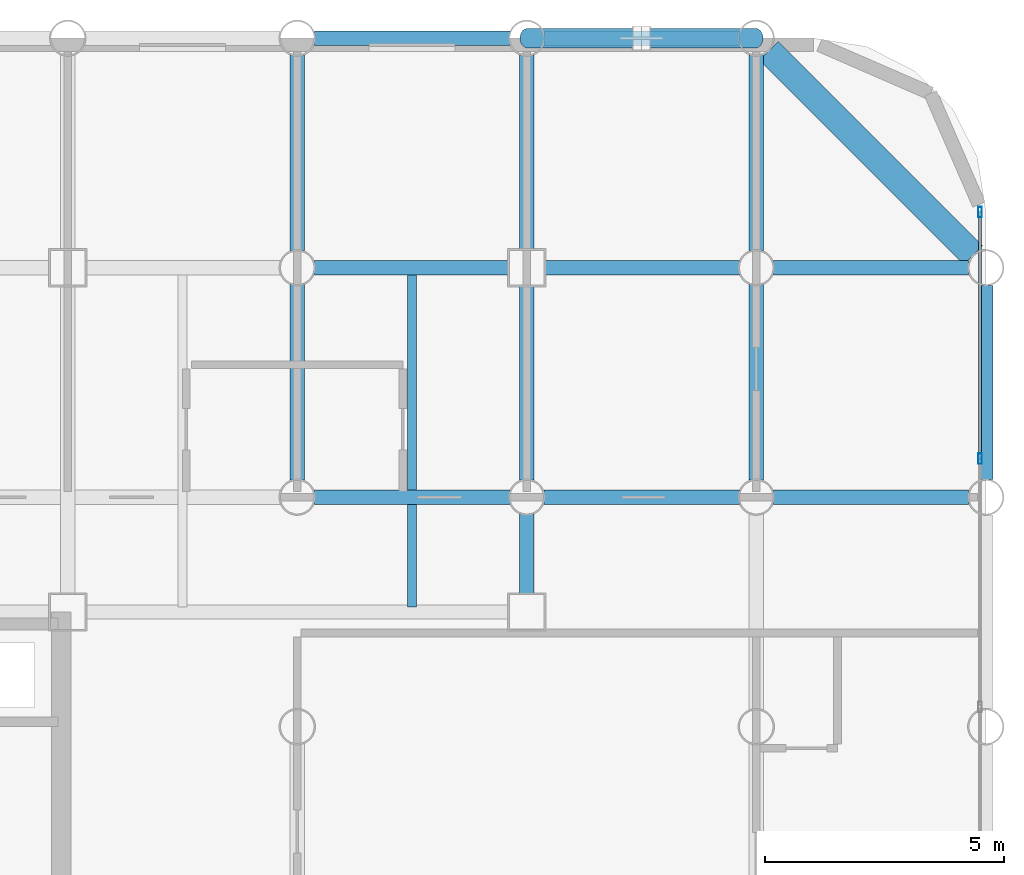
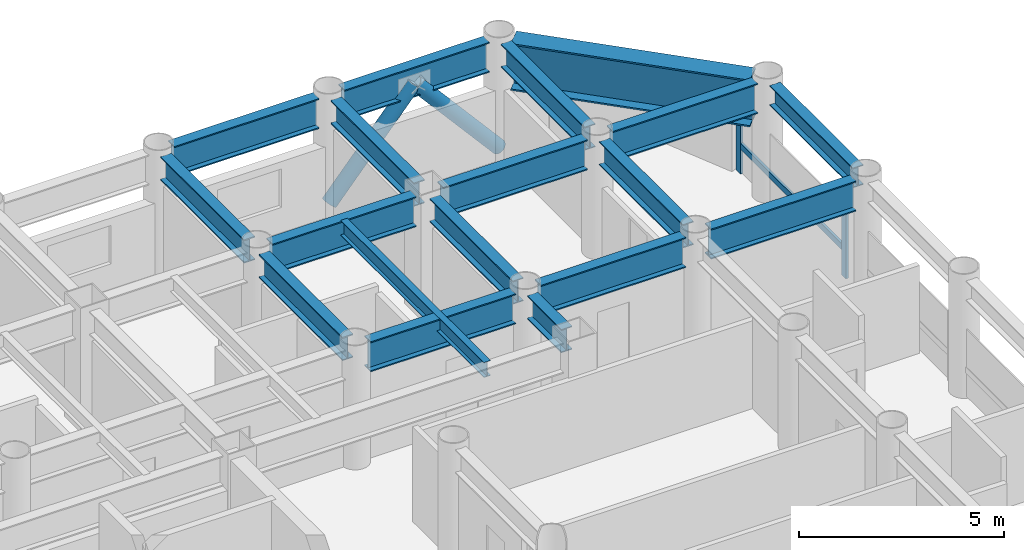
# One storey, part 13 of 20: 18 beams, 5 members, 1 element without a shape of its own.
"""IFC4 building model written with IfcOpenShell, lengths in metres."""

from ifc_helpers import new_model, si_unit, direction, frame, origin, origin_2d, place, context, subcontext, project, spatial, hollow_rectangle, hollow_circle, i_section, extrude, material, layer, layer_set, material_profile, profile_set, type_object, element, aggregate, save


model = new_model("IFC4")

# Units and contexts
model_context = context("Model", 3, precision=1e-05, world=origin(), true_north=direction((0.0, 1.0)))
body_context = subcontext(model_context, "Body", "Model", "MODEL_VIEW")
ifc_project = project(units=[si_unit("LENGTHUNIT", "METRE"), si_unit("AREAUNIT", "SQUARE_METRE"), si_unit("VOLUMEUNIT", "CUBIC_METRE"), si_unit("PLANEANGLEUNIT", "RADIAN"), si_unit("MASSUNIT", "GRAM", prefix="KILO")], contexts=[model_context])

# Site, building, storey
site_placement = place(None, origin())
site = spatial("IfcSite", under=ifc_project, at=site_placement, CompositionType="ELEMENT")
building_placement = place(site_placement, origin())
building = spatial("IfcBuilding", under=site, at=building_placement, Name="Kallvorn Hotel Tower", CompositionType="ELEMENT")
storey_placement = place(building_placement, frame((0.0, 0.0, 74.39990234375)))
storey = spatial("IfcBuildingStorey", under=building, at=storey_placement, Name="L17", CompositionType="ELEMENT", Elevation=74.39990234375)

# Beams
ifc_material_1 = material(Name="Structural steel S355JR", Category="steel")
ifc_material_profile_1 = material_profile(ifc_material_1, i_section(OverallWidth=0.300048828125, OverallDepth=0.60009765625, WebThickness=0.015380859375, FlangeThickness=0.030029296875, at=origin_2d()), Name="HE 600 B")
ifc_profile_set_1 = profile_set([ifc_material_profile_1], Name="Structural steel S355JR")
beam_type_1 = type_object("IfcBeamType", Name="BM_HE600B", PredefinedType="SPANDREL", material=ifc_profile_set_1)
beam_1_placement = place(storey_placement, frame((33.60009765625, 9.970947265625, 3.22021484375), z_axis=(0.0, 1.0, 0.0), x_axis=(-1.0, 0.0, 0.0)))
element("IfcBeam", 1, at=beam_1_placement, inside=storey, type_object=beam_type_1, Name="L18 Perimeter Spandrel 188", PredefinedType="SPANDREL", context=body_context, shape_type="SweptSolid", body=[
    extrude(i_section(OverallWidth=0.300048828125, OverallDepth=0.60009765625, WebThickness=0.015380859375, FlangeThickness=0.030029296875, at=origin_2d()), origin(), (0.0, 0.0, 1.0), 4.05810546875),
])
ifc_material_2 = material(Name="Structural steel S355JR", Category="steel")
ifc_material_profile_2 = material_profile(ifc_material_2, i_section(OverallWidth=0.300048828125, OverallDepth=0.699951171875, WebThickness=0.01708984375, FlangeThickness=0.031982421875, at=origin_2d()), Name="HE 700 B")
ifc_profile_set_2 = profile_set([ifc_material_profile_2], Name="Structural steel S355JR")
beam_type_2 = type_object("IfcBeamType", Name="BM_HE700B", PredefinedType="BEAM", material=ifc_profile_set_2)
for number, where, z_axis, x_axis, name in (
    (2, (19.199951171875, 9.9560546875, 3.170166015625), (0.0, 1.0, 0.0), (-1.0, 0.0, 0.0), "L18 Primary Y-Girder 133"),
    (3, (19.199951171875, 14.756103515625, 3.170166015625), (0.0, 1.0, 0.0), (-1.0, 0.0, 0.0), "L18 Primary Y-Girder 134"),
):
    element("IfcBeam", number, at=place(storey_placement, frame(where, z_axis=z_axis, x_axis=x_axis)), inside=storey, type_object=beam_type_2, Name=name, PredefinedType="BEAM", context=body_context, shape_type="SweptSolid", body=[
        extrude(i_section(OverallWidth=0.300048828125, OverallDepth=0.699951171875, WebThickness=0.01708984375, FlangeThickness=0.031982421875, at=origin_2d()), origin(), (0.0, 0.0, 1.0), 4.087890625),
    ])
beam_2_placement = place(storey_placement, frame((24.0, 7.574951171875, 3.170166015625), z_axis=(0.0, 1.0, 0.0), x_axis=(-1.0, 0.0, 0.0)))
element("IfcBeam", 4, at=beam_2_placement, inside=storey, type_object=beam_type_2, Name="L18 Primary Y-Girder 139", PredefinedType="BEAM", context=body_context, shape_type="SweptSolid", body=[
    extrude(i_section(OverallWidth=0.300048828125, OverallDepth=0.699951171875, WebThickness=0.01708984375, FlangeThickness=0.031982421875, at=origin_2d()), origin(), (0.0, 0.0, 1.0), 1.6689453125),
])
beam_3_placement = place(storey_placement, frame((24.0, 9.9560546875, 3.170166015625), z_axis=(0.0, 1.0, 0.0), x_axis=(-1.0, 0.0, 0.0)))
element("IfcBeam", 5, at=beam_3_placement, inside=storey, type_object=beam_type_2, Name="L18 Primary Y-Girder 140", PredefinedType="BEAM", context=body_context, shape_type="SweptSolid", body=[
    extrude(i_section(OverallWidth=0.300048828125, OverallDepth=0.699951171875, WebThickness=0.01708984375, FlangeThickness=0.031982421875, at=origin_2d()), origin(), (0.0, 0.0, 1.0), 4.06884765625),
])
beam_4_placement = place(storey_placement, frame((24.0, 14.77490234375, 3.170166015625), z_axis=(0.0, 1.0, 0.0), x_axis=(-1.0, 0.0, 0.0)))
element("IfcBeam", 6, at=beam_4_placement, inside=storey, type_object=beam_type_2, Name="L18 Primary Y-Girder 141", PredefinedType="BEAM", context=body_context, shape_type="SweptSolid", body=[
    extrude(i_section(OverallWidth=0.300048828125, OverallDepth=0.699951171875, WebThickness=0.01708984375, FlangeThickness=0.031982421875, at=origin_2d()), origin(), (0.0, 0.0, 1.0), 4.069091796875),
])
for number, where, z_axis, x_axis, name in (
    (7, (28.800048828125, 9.9560546875, 3.170166015625), (0.0, 1.0, 0.0), (-1.0, 0.0, 0.0), "L18 Primary Y-Girder 149"),
    (8, (28.800048828125, 14.756103515625, 3.170166015625), (0.0, 1.0, 0.0), (-1.0, 0.0, 0.0), "L18 Primary Y-Girder 150"),
):
    element("IfcBeam", number, at=place(storey_placement, frame(where, z_axis=z_axis, x_axis=x_axis)), inside=storey, type_object=beam_type_2, Name=name, PredefinedType="BEAM", context=body_context, shape_type="SweptSolid", body=[
        extrude(i_section(OverallWidth=0.300048828125, OverallDepth=0.699951171875, WebThickness=0.01708984375, FlangeThickness=0.031982421875, at=origin_2d()), origin(), (0.0, 0.0, 1.0), 4.087890625),
    ])
ifc_material_3 = material(Name="Structural steel S355JR", Category="steel")
ifc_material_profile_3 = material_profile(ifc_material_3, i_section(OverallWidth=0.300048828125, OverallDepth=0.89990234375, WebThickness=0.0185546875, FlangeThickness=0.034912109375, at=origin_2d()), Name="HE 900 B")
ifc_profile_set_3 = profile_set([ifc_material_profile_3], Name="Structural steel S355JR")
beam_type_3 = type_object("IfcBeamType", Name="BM_HE900B", PredefinedType="BEAM", material=ifc_profile_set_3)
for number, where, z_axis, x_axis, name in (
    (9, (19.555908203125, 9.60009765625, 3.070068359375), (1.0, 0.0, 0.0), (0.0, 1.0, 0.0), "L18 Primary X-Girder 48"),
    (10, (24.35595703125, 9.60009765625, 3.070068359375), (1.0, 0.0, 0.0), (0.0, 1.0, 0.0), "L18 Primary X-Girder 49"),
):
    element("IfcBeam", number, at=place(storey_placement, frame(where, z_axis=z_axis, x_axis=x_axis)), inside=storey, type_object=beam_type_3, Name=name, PredefinedType="BEAM", context=body_context, shape_type="SweptSolid", body=[
        extrude(i_section(OverallWidth=0.300048828125, OverallDepth=0.89990234375, WebThickness=0.0185546875, FlangeThickness=0.034912109375, at=origin_2d()), origin(), (0.0, 0.0, 1.0), 4.088134765625),
    ])
beam_5_placement = place(storey_placement, frame((29.156005859375, 9.60009765625, 3.070068359375), z_axis=(1.0, 0.0, 0.0), x_axis=(0.0, 1.0, 0.0)))
element("IfcBeam", 11, at=beam_5_placement, inside=storey, type_object=beam_type_3, Name="L18 Primary X-Girder 50", PredefinedType="BEAM", context=body_context, shape_type="SweptSolid", body=[
    extrude(i_section(OverallWidth=0.300048828125, OverallDepth=0.89990234375, WebThickness=0.0185546875, FlangeThickness=0.034912109375, at=origin_2d()), origin(), (0.0, 0.0, 1.0), 4.087890625),
])
for number, where, z_axis, x_axis, name in (
    (12, (19.555908203125, 14.39990234375, 3.070068359375), (1.0, 0.0, 0.0), (0.0, 1.0, 0.0), "L18 Primary X-Girder 58"),
    (13, (24.375, 14.39990234375, 3.070068359375), (1.0, 0.0, 0.0), (0.0, 1.0, 0.0), "L18 Primary X-Girder 59"),
):
    element("IfcBeam", number, at=place(storey_placement, frame(where, z_axis=z_axis, x_axis=x_axis)), inside=storey, type_object=beam_type_3, Name=name, PredefinedType="BEAM", context=body_context, shape_type="SweptSolid", body=[
        extrude(i_section(OverallWidth=0.300048828125, OverallDepth=0.89990234375, WebThickness=0.0185546875, FlangeThickness=0.034912109375, at=origin_2d()), origin(), (0.0, 0.0, 1.0), 4.069091796875),
    ])
beam_6_placement = place(storey_placement, frame((29.156005859375, 14.39990234375, 3.070068359375), z_axis=(1.0, 0.0, 0.0), x_axis=(0.0, 1.0, 0.0)))
element("IfcBeam", 14, at=beam_6_placement, inside=storey, type_object=beam_type_3, Name="L18 Primary X-Girder 60", PredefinedType="BEAM", context=body_context, shape_type="SweptSolid", body=[
    extrude(i_section(OverallWidth=0.300048828125, OverallDepth=0.89990234375, WebThickness=0.0185546875, FlangeThickness=0.034912109375, at=origin_2d()), origin(), (0.0, 0.0, 1.0), 4.087890625),
])
for number, where, z_axis, x_axis, name in (
    (15, (19.555908203125, 19.199951171875, 3.070068359375), (1.0, 0.0, 0.0), (0.0, 1.0, 0.0), "L18 Primary X-Girder 71"),
    (16, (24.35595703125, 19.199951171875, 3.070068359375), (1.0, 0.0, 0.0), (0.0, 1.0, 0.0), "L18 Primary X-Girder 72"),
):
    element("IfcBeam", number, at=place(storey_placement, frame(where, z_axis=z_axis, x_axis=x_axis)), inside=storey, type_object=beam_type_3, Name=name, PredefinedType="BEAM", context=body_context, shape_type="SweptSolid", body=[
        extrude(i_section(OverallWidth=0.300048828125, OverallDepth=0.89990234375, WebThickness=0.0185546875, FlangeThickness=0.034912109375, at=origin_2d()), origin(), (0.0, 0.0, 1.0), 4.088134765625),
    ])
ifc_material_4 = material(Name="Structural steel S355JR", Category="steel")
ifc_material_profile_4 = material_profile(ifc_material_4, i_section(OverallWidth=0.18994140625, OverallDepth=0.449951171875, WebThickness=0.009521484375, FlangeThickness=0.0146484375, at=origin_2d()), Name="IPE 450")
ifc_profile_set_4 = profile_set([ifc_material_profile_4], Name="Structural steel S355JR")
beam_type_4 = type_object("IfcBeamType", Name="BM_IPE450", PredefinedType="JOIST", material=ifc_profile_set_4)
beam_7_placement = place(storey_placement, frame((21.60009765625, 7.300048828125, 3.295166015625), z_axis=(0.0, 1.0, 0.0), x_axis=(-1.0, 0.0, 0.0)))
element("IfcBeam", 17, at=beam_7_placement, inside=storey, type_object=beam_type_4, Name="L18 Secondary Composite Joist 209", PredefinedType="JOIST", context=body_context, shape_type="SweptSolid", body=[
    extrude(i_section(OverallWidth=0.18994140625, OverallDepth=0.449951171875, WebThickness=0.009521484375, FlangeThickness=0.0146484375, at=origin_2d()), origin(), (0.0, 0.0, 1.0), 7.0),
])
ifc_material_5 = material(Name="Structural steel S355JR", Category="steel")
ifc_material_profile_5 = material_profile(ifc_material_5, i_section(OverallWidth=0.550048828125, OverallDepth=1.39990234375, WebThickness=0.02490234375, FlangeThickness=0.044921875, at=origin_2d()), Name="PG 1400x550x25x45")
ifc_profile_set_5 = profile_set([ifc_material_profile_5], Name="Structural steel S355JR")
beam_type_5 = type_object("IfcBeamType", Name="BM_PG_1400", PredefinedType="BEAM", material=ifc_profile_set_5)
beam_8_placement = place(storey_placement, frame((33.337646484375, 14.662353515625, 2.820068359375), z_axis=(-0.707106781187, 0.707106781187, 0.0), x_axis=(-0.707106781187, -0.707106781187, 0.0)))
element("IfcBeam", 18, at=beam_8_placement, inside=storey, type_object=beam_type_5, Name="L18 Rounded Corner Tie Beam 191", PredefinedType="BEAM", context=body_context, shape_type="SweptSolid", body=[
    extrude(i_section(OverallWidth=0.550048828125, OverallDepth=1.39990234375, WebThickness=0.02490234375, FlangeThickness=0.044921875, at=origin_2d()), origin(), (0.0, 0.0, 1.0), 6.04638671875),
])

# Curtain wall, members
ifc_material_6 = material(Name="Thermally broken black-anodised aluminium AA 6063-T6", Category="aluminium")
ifc_layer = layer(ifc_material_6, 0.199951171875)
ifc_layer_set = layer_set([ifc_layer], Name="CW_SYS_3_HOTEL_LOW")
curtain_wall_type = type_object("IfcCurtainWallType", Name="CW_SYS_3_HOTEL_LOW", PredefinedType="USERDEFINED", material=ifc_layer_set)
curtain_wall_placement = place(storey_placement, origin())
curtain_wall = element("IfcCurtainWall", 19, at=curtain_wall_placement, inside=storey, type_object=curtain_wall_type, Name="L17 Dark-Glass Curtain Wall CW-L17-EN", ObjectType="UNITISED CURTAIN WALL", PredefinedType="USERDEFINED")
ifc_material_7 = material(Name="Thermally broken black-anodised aluminium AA 6063-T6", Category="aluminium")
ifc_material_profile_6 = material_profile(ifc_material_7, hollow_rectangle(XDim=0.080078125, YDim=0.219970703125, WallThickness=0.0048828125, at=origin_2d()), Name="MUL 220x80")
ifc_profile_set_6 = profile_set([ifc_material_profile_6], Name="Thermally broken black-anodised aluminium AA 6063-T6")
member_type_1 = type_object("IfcMemberType", Name="CW_MULLION_220x80", PredefinedType="MULLION", material=ifc_profile_set_6)
member_1_placement = place(storey_placement, frame((33.47998046875, 10.40673828125, 0.02001953125), z_axis=(0.0, 0.0, 1.0), x_axis=(1.0, 0.0, 0.0)))
member_1 = element("IfcMember", 20, at=member_1_placement, type_object=member_type_1, Name="CW-L17-EN Mullion 02", PredefinedType="MULLION", context=body_context, shape_type="SweptSolid", body=[
    extrude(hollow_rectangle(XDim=0.080078125, YDim=0.219970703125, WallThickness=0.0048828125, at=origin_2d()), origin(), (0.0, 0.0, 1.0), 2.080078125),
])
member_2_placement = place(storey_placement, frame((33.47998046875, 15.56005859375, 0.02001953125), z_axis=(0.0, 0.0, 1.0), x_axis=(1.0, 0.0, 0.0)))
member_2 = element("IfcMember", 21, at=member_2_placement, type_object=member_type_1, Name="CW-L17-EN Mullion 03", PredefinedType="MULLION", context=body_context, shape_type="SweptSolid", body=[
    extrude(hollow_rectangle(XDim=0.080078125, YDim=0.219970703125, WallThickness=0.0048828125, at=origin_2d()), origin(), (0.0, 0.0, 1.0), 2.080078125),
])
ifc_material_8 = material(Name="Thermally broken black-anodised aluminium AA 6063-T6", Category="aluminium")
ifc_material_profile_7 = material_profile(ifc_material_8, hollow_rectangle(XDim=0.070068359375, YDim=0.179931640625, WallThickness=0.00390625, at=origin_2d()), Name="TRN 180x70")
ifc_profile_set_7 = profile_set([ifc_material_profile_7], Name="Thermally broken black-anodised aluminium AA 6063-T6")
member_type_2 = type_object("IfcMemberType", Name="CW_TRANSOM_180x70", PredefinedType="USERDEFINED", material=ifc_profile_set_7)
member_3_placement = place(storey_placement, frame((33.47998046875, 10.44677734375, 0.85009765625), z_axis=(0.0, 1.0, 0.0), x_axis=(-1.0, 0.0, 0.0)))
member_3 = element("IfcMember", 22, at=member_3_placement, type_object=member_type_2, Name="CW-L17-EN Transom 02M", ObjectType="TRANSOM", PredefinedType="USERDEFINED", context=body_context, shape_type="SweptSolid", body=[
    extrude(hollow_rectangle(XDim=0.070068359375, YDim=0.179931640625, WallThickness=0.00390625, at=origin_2d()), origin(), (0.0, 0.0, 1.0), 5.11328125),
])
aggregate(curtain_wall, [member_1, member_2, member_3])

# Members
ifc_material_9 = material(Name="Structural steel S355J2H", Category="steel")
ifc_material_profile_8 = material_profile(ifc_material_9, hollow_circle(Radius=0.203125, WallThickness=0.01611328125, at=origin_2d()), Name="CHS 406.4x16")
ifc_profile_set_8 = profile_set([ifc_material_profile_8], Name="Structural steel S355J2H")
member_type_3 = type_object("IfcMemberType", Name="MBR_EXO_CHS406", PredefinedType="BRACE", material=ifc_profile_set_8)
for number, where, z_axis, x_axis, name in (
    (23, (24.01318359375, 19.199951171875, 0.1953125), (0.65346062529, 0.0, 0.756960508346), (0.0, 1.0, 0.0), "L17 Exoskeleton K-Brace N2A"),
    (24, (28.786865234375, 19.199951171875, 0.1953125), (-0.65346062529, 0.0, 0.756960508346), (0.0, -1.0, 0.0), "L17 Exoskeleton K-Brace N2B"),
):
    element("IfcMember", number, at=place(storey_placement, frame(where, z_axis=z_axis, x_axis=x_axis)), inside=storey, type_object=member_type_3, Name=name, PredefinedType="BRACE", context=body_context, shape_type="SweptSolid", body=[
        extrude(hollow_circle(Radius=0.203125, WallThickness=0.01611328125, at=origin_2d()), origin(), (0.0, 0.0, 1.0), 3.632568359375),
    ])

save(model, "model.ifc")
